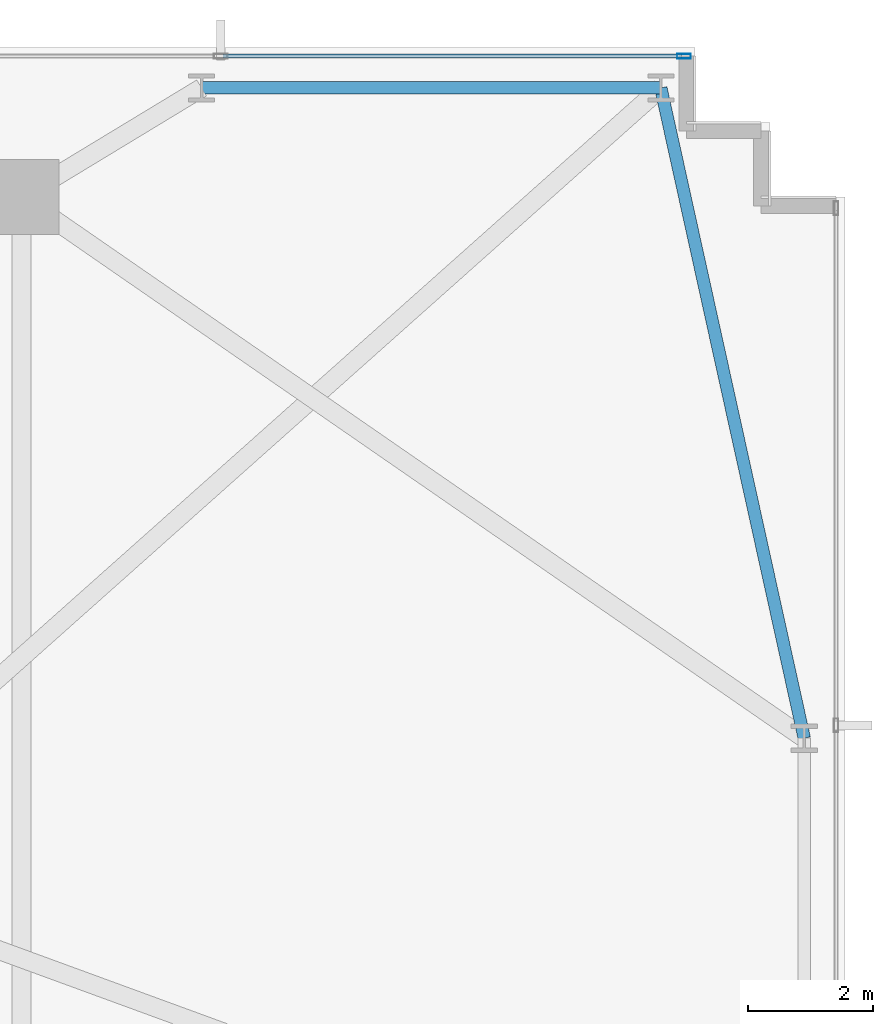
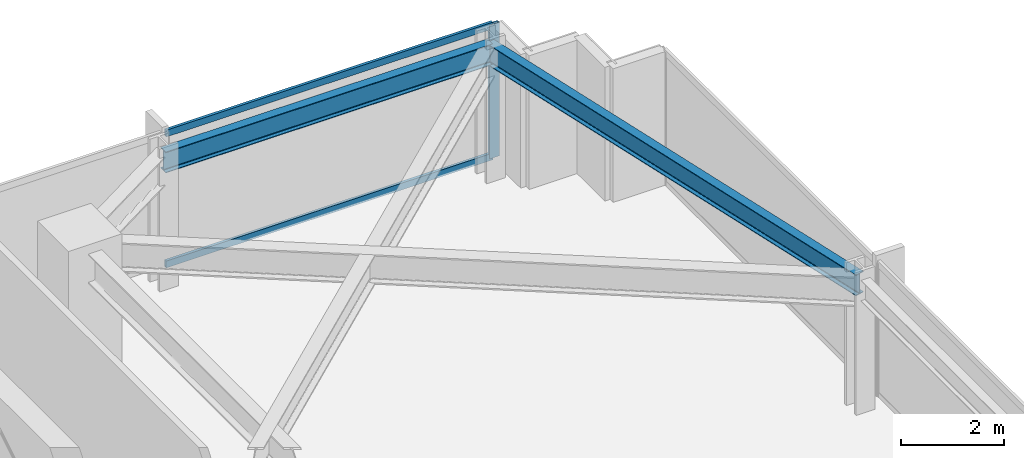
# One storey, part 21 of 32: 3 members, 2 beams, 1 element without a shape of its own.
"""IFC4 building model written with IfcOpenShell, lengths in metres."""

from ifc_helpers import new_model, si_unit, direction, frame, origin, origin_2d, place, context, subcontext, project, spatial, hollow_rectangle, i_section, extrude, material, material_profile, profile_set, type_object, element, aggregate, save


model = new_model("IFC4")

# Units and contexts
model_context = context("Model", 3, precision=1e-05, world=origin(), true_north=direction((0.0, 1.0)))
body_context = subcontext(model_context, "Body", "Model", "MODEL_VIEW")
ifc_project = project(units=[si_unit("LENGTHUNIT", "METRE"), si_unit("AREAUNIT", "SQUARE_METRE"), si_unit("VOLUMEUNIT", "CUBIC_METRE"), si_unit("PLANEANGLEUNIT", "RADIAN"), si_unit("MASSUNIT", "GRAM", prefix="KILO")], contexts=[model_context])

# Site, building, storey
site_placement = place(None, origin())
site = spatial("IfcSite", under=ifc_project, at=site_placement, CompositionType="ELEMENT")
building_placement = place(site_placement, origin())
building = spatial("IfcBuilding", under=site, at=building_placement, Name="Yelkora Congress Tower", CompositionType="ELEMENT")
storey_placement = place(building_placement, frame((0.0, 0.0, 61.0)))
storey = spatial("IfcBuildingStorey", under=building, at=storey_placement, Name="L15", CompositionType="ELEMENT", Elevation=61.0)

# Beams
ifc_material_1 = material(Name="Steel S355J2", Category="steel")
ifc_material_profile_1 = material_profile(ifc_material_1, i_section(OverallWidth=0.199951171875, OverallDepth=0.5, WebThickness=0.01025390625, FlangeThickness=0.01611328125, FilletRadius=0.02099609375, at=origin_2d()), Name="IPE 500")
ifc_profile_set_1 = profile_set([ifc_material_profile_1], Name="Steel S355J2")
beam_type = type_object("IfcBeamType", Name="BM-SPAN-IPE500", PredefinedType="SPANDREL", material=ifc_profile_set_1)
beam_1_placement = place(storey_placement, frame((70.14990234375, 37.52490234375, 2.929931640625), z_axis=(-0.215424087425, 0.97652058993, 0.0), x_axis=(-0.97652058993, -0.215424087425, 0.0)))
element("IfcBeam", 1, at=beam_1_placement, inside=storey, type_object=beam_type, Name="L15 Perimeter Beam 13", PredefinedType="SPANDREL", context=body_context, shape_type="SweptSolid", body=[
    extrude(i_section(OverallWidth=0.199951171875, OverallDepth=0.5, WebThickness=0.01025390625, FlangeThickness=0.01611328125, FilletRadius=0.02099609375, at=origin_2d()), origin(), (0.0, 0.0, 1.0), 10.67578125),
])
beam_2_placement = place(storey_placement, frame((67.85009765625, 47.949951171875, 2.929931640625), z_axis=(-1.0, 0.0, 0.0), x_axis=(0.0, -1.0, 0.0)))
element("IfcBeam", 2, at=beam_2_placement, inside=storey, type_object=beam_type, Name="L15 Perimeter Beam 14", PredefinedType="SPANDREL", context=body_context, shape_type="SweptSolid", body=[
    extrude(i_section(OverallWidth=0.199951171875, OverallDepth=0.5, WebThickness=0.01025390625, FlangeThickness=0.01611328125, FilletRadius=0.02099609375, at=origin_2d()), origin(), (0.0, 0.0, 1.0), 7.362548828125),
])

# Curtain wall, members
ifc_material_2 = material(Name="Anodised aluminium and insulated glass", Category="aluminium")
curtain_wall_type = type_object("IfcCurtainWallType", Name="CW-SYS-B1", PredefinedType="NOTDEFINED", material=ifc_material_2)
curtain_wall_placement = place(storey_placement, origin())
curtain_wall = element("IfcCurtainWall", 3, at=curtain_wall_placement, inside=storey, type_object=curtain_wall_type, Name="L15 Unitised Curtain Wall 10", PredefinedType="NOTDEFINED")
ifc_material_3 = material(Name="Anodised aluminium 6063-T6", Category="aluminium")
ifc_material_profile_2 = material_profile(ifc_material_3, hollow_rectangle(XDim=0.074951171875, YDim=0.219970703125, WallThickness=0.0048828125, at=origin_2d()), Name="ALU 75x220x5")
ifc_profile_set_2 = profile_set([ifc_material_profile_2], Name="Anodised aluminium 6063-T6")
member_type_1 = type_object("IfcMemberType", Name="MEM-ML-B1", PredefinedType="MULLION", material=ifc_profile_set_2)
member_1_placement = place(storey_placement, frame((68.222412109375, 48.4599609375, 0.0), z_axis=(0.0, 0.0, 1.0), x_axis=(0.0, 1.0, 0.0)))
member_1 = element("IfcMember", 4, at=member_1_placement, type_object=member_type_1, Name="CW-B1 mullion 9", PredefinedType="MULLION", context=body_context, shape_type="SweptSolid", body=[
    extrude(hollow_rectangle(XDim=0.074951171875, YDim=0.219970703125, WallThickness=0.0048828125, at=origin_2d()), origin(), (0.0, 0.0, 1.0), 3.179931640625),
])
ifc_material_profile_3 = material_profile(ifc_material_3, hollow_rectangle(XDim=0.06494140625, YDim=0.159912109375, WallThickness=0.00390625, at=origin_2d()), Name="ALU 65x160x4")
ifc_profile_set_3 = profile_set([ifc_material_profile_3], Name="Anodised aluminium 6063-T6")
member_type_2 = type_object("IfcMemberType", Name="MEM-TR-B1", PredefinedType="USERDEFINED", material=ifc_profile_set_3)
member_2_placement = place(storey_placement, frame((60.83251953125, 48.4599609375, 0.032470703125), z_axis=(1.0, 0.0, 0.0), x_axis=(0.0, 1.0, 0.0)))
member_2 = element("IfcMember", 5, at=member_2_placement, type_object=member_type_2, Name="CW-B1 transom 8.1", ObjectType="TRANSOM", PredefinedType="USERDEFINED", context=body_context, shape_type="SweptSolid", body=[
    extrude(hollow_rectangle(XDim=0.06494140625, YDim=0.159912109375, WallThickness=0.00390625, at=origin_2d()), origin(), (0.0, 0.0, 1.0), 7.3525390625),
])
member_3_placement = place(storey_placement, frame((60.83251953125, 48.4599609375, 3.1474609375), z_axis=(1.0, 0.0, 0.0), x_axis=(0.0, 1.0, 0.0)))
member_3 = element("IfcMember", 6, at=member_3_placement, type_object=member_type_2, Name="CW-B1 transom 8.2", ObjectType="TRANSOM", PredefinedType="USERDEFINED", context=body_context, shape_type="SweptSolid", body=[
    extrude(hollow_rectangle(XDim=0.06494140625, YDim=0.159912109375, WallThickness=0.00390625, at=origin_2d()), origin(), (0.0, 0.0, 1.0), 7.3525390625),
])
aggregate(curtain_wall, [member_1, member_2, member_3])

save(model, "model.ifc")
